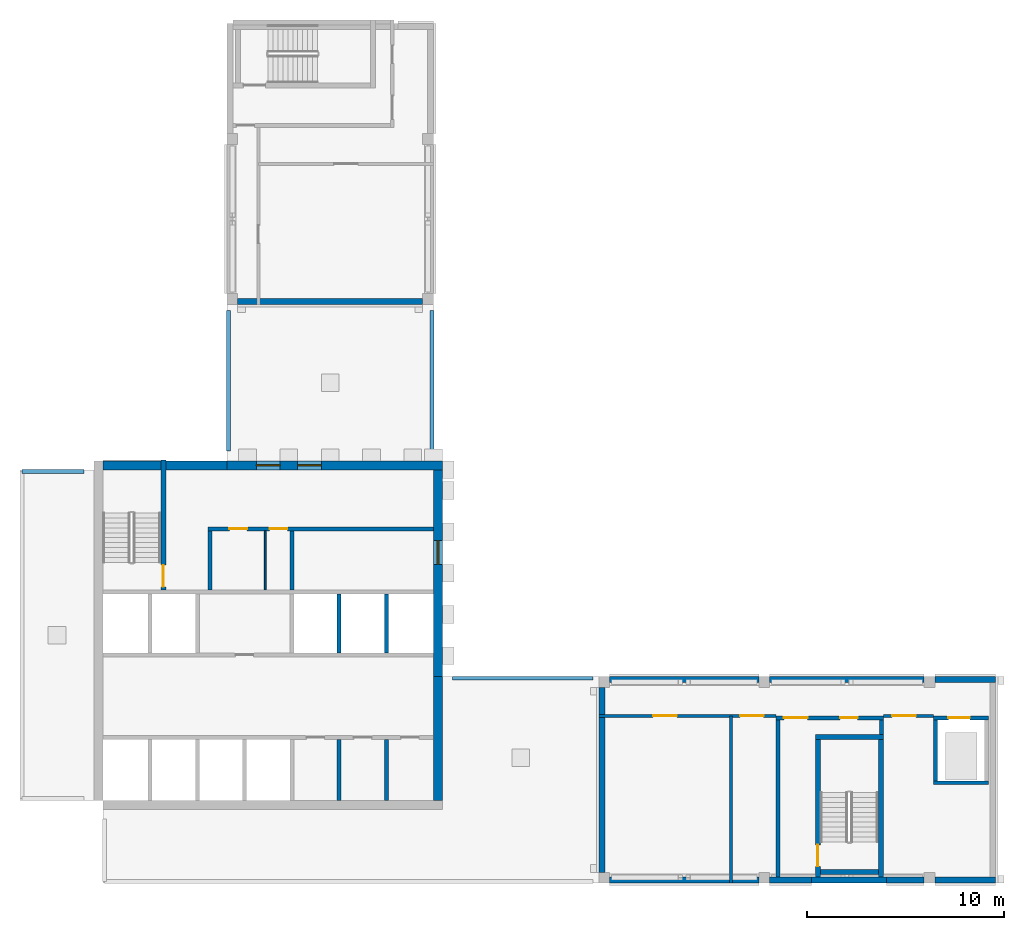
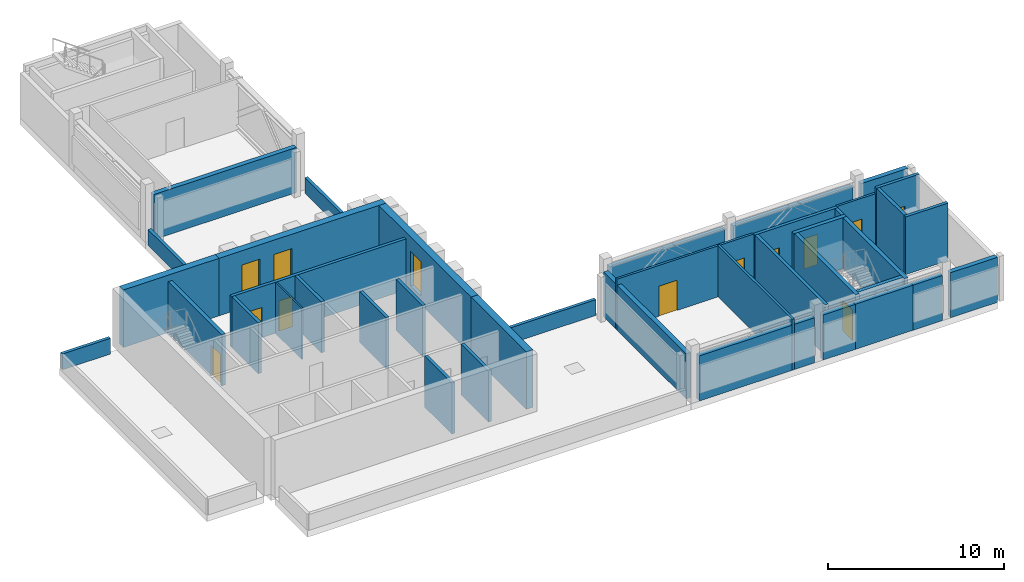
# One storey, part 2 of 8: 40 walls, 10 doors, 3 windows, 13 openings.
"""IFC4 building model written with IfcOpenShell, lengths in metres."""

from ifc_helpers import new_model, si_unit, direction, frame, frame_2d, origin, place, context, subcontext, project, spatial, rectangle, extrude, source, transform, mapped, material, layer, layer_set, type_object, element, fill, save


model = new_model("IFC4")

# Units and contexts
model_context = context("Model", 3, precision=1e-05, world=origin(), true_north=direction((0.0, 1.0)))
body_context = subcontext(model_context, "Body", "Model", "MODEL_VIEW")
ifc_project = project(units=[si_unit("LENGTHUNIT", "METRE"), si_unit("AREAUNIT", "SQUARE_METRE"), si_unit("VOLUMEUNIT", "CUBIC_METRE"), si_unit("PLANEANGLEUNIT", "RADIAN"), si_unit("MASSUNIT", "GRAM", prefix="KILO")], contexts=[model_context])

# Site, building, storey
site_placement = place(None, origin())
site = spatial("IfcSite", under=ifc_project, at=site_placement, CompositionType="ELEMENT")
building_placement = place(site_placement, origin())
building = spatial("IfcBuilding", under=site, at=building_placement, Name="Aurelian Terraces", CompositionType="ELEMENT")
storey_placement = place(building_placement, frame((0.0, 0.0, 368.5)))
storey = spatial("IfcBuildingStorey", under=building, at=storey_placement, Name="L88", CompositionType="ELEMENT", Elevation=368.5)

# Wall
ifc_material_1 = material(Name="Concrete fc' 55 MPa", Category="concrete")
ifc_layer_1 = layer(ifc_material_1, 0.45)
ifc_layer_set_1 = layer_set([ifc_layer_1], Name="CORE WALL 450 FC55")
wall_type_1 = type_object("IfcWallType", Name="CORE WALL 450 FC55", PredefinedType="SHEAR", material=ifc_layer_set_1)
wall_1_placement = place(storey_placement, frame((21.225, 4.2, 0.0), z_axis=(0.0, 0.0, 1.0), x_axis=(0.0, 1.0, 0.0)))
element("IfcWall", 1, at=wall_1_placement, inside=storey, type_object=wall_type_1, Name="Core wall E L88", PredefinedType="SHEAR", context=body_context, shape_type="SweptSolid", body=[
    extrude(rectangle(XDim=6.3, YDim=0.45, at=frame_2d((3.15, 0.0))), origin(), (0.0, 0.0, 1.0), 4.0),
])

# Wall, opening, window
wall_2_placement = place(storey_placement, frame((21.225, 10.5, 0.0), z_axis=(0.0, 0.0, 1.0), x_axis=(0.0, 1.0, 0.0)))
wall_2 = element("IfcWall", 2, at=wall_2_placement, inside=storey, type_object=wall_type_1, Name="Core wall E L88 exposed", PredefinedType="SHEAR", context=body_context, shape_type="SweptSolid", body=[
    extrude(rectangle(XDim=10.5, YDim=0.45, at=frame_2d((5.25, 0.0))), origin(), (0.0, 0.0, 1.0), 4.0),
])
opening_1_placement = place(wall_2_placement, frame((5.7, 0.0, 0.6)))
opening_1 = element("IfcOpeningElement", 3, at=opening_1_placement, cuts=wall_2, Name="Opening W-CL", PredefinedType="OPENING", context=body_context, shape_type="SweptSolid", body=[
    extrude(rectangle(XDim=1.2, YDim=2.4, at=frame_2d((0.6, 1.2))), frame((0.0, 0.235, 0.0), z_axis=(0.0, -1.0, 0.0), x_axis=(1.0, 0.0, 0.0)), (0.0, 0.0, 1.0), 0.47),
])
ifc_material_2 = material(Name="Fire-resisting glazing", Category="glass")
window_type = type_object("IfcWindowType", Name="Core lobby window 1200x2400", PartitioningType="SINGLE_PANEL", PredefinedType="WINDOW", material=ifc_material_2)
shared_shape_1 = source(origin(), body_context, "Body", "SweptSolid", [
    extrude(rectangle(XDim=1.2, YDim=2.4, at=frame_2d((0.6, 1.2))), frame((0.0, 0.03, 0.0), z_axis=(0.0, -1.0, 0.0), x_axis=(1.0, 0.0, 0.0)), (0.0, 0.0, 1.0), 0.06),
])
window_1_placement = place(opening_1_placement, origin())
window_1 = element("IfcWindow", 4, at=window_1_placement, inside=storey, type_object=window_type, Name="Lobby window L88 E73", OverallHeight=2.4, OverallWidth=1.2, PartitioningType="SINGLE_PANEL", PredefinedType="WINDOW", context=body_context, shape_type="MappedRepresentation", body=[
    mapped(shared_shape_1, transform((0.0, 0.0, 0.0), scale=1.0)),
])
fill(opening_1, window_1)

# Wall, openings, windows
wall_3_placement = place(storey_placement, frame((10.5, 21.225, 0.0), z_axis=(0.0, 0.0, 1.0), x_axis=(1.0, 0.0, 0.0)))
wall_3 = element("IfcWall", 5, at=wall_3_placement, inside=storey, type_object=wall_type_1, Name="Core wall N L88 exposed", PredefinedType="SHEAR", context=body_context, shape_type="SweptSolid", body=[
    extrude(rectangle(XDim=10.95, YDim=0.45, at=frame_2d((5.475, 0.0))), origin(), (0.0, 0.0, 1.0), 4.0),
])
shared_shape_2 = source(origin(), body_context, "Body", "SweptSolid", [
    extrude(rectangle(XDim=1.2, YDim=2.4, at=frame_2d((0.6, 1.2))), frame((0.0, 0.235, 0.0), z_axis=(0.0, -1.0, 0.0), x_axis=(1.0, 0.0, 0.0)), (0.0, 0.0, 1.0), 0.47),
])
opening_2_placement = place(wall_3_placement, frame((1.5, 0.0, 0.6)))
opening_2 = element("IfcOpeningElement", 6, at=opening_2_placement, cuts=wall_3, Name="Opening W-CL", PredefinedType="OPENING", context=body_context, shape_type="MappedRepresentation", body=[
    mapped(shared_shape_2, transform((0.0, 0.0, 0.0), scale=1.0)),
])
opening_3_placement = place(wall_3_placement, frame((3.6, 0.0, 0.6)))
opening_3 = element("IfcOpeningElement", 7, at=opening_3_placement, cuts=wall_3, Name="Opening W-CL", PredefinedType="OPENING", context=body_context, shape_type="MappedRepresentation", body=[
    mapped(shared_shape_2, transform((0.0, 0.0, 0.0), scale=1.0)),
])
window_2_placement = place(opening_2_placement, origin())
window_2 = element("IfcWindow", 8, at=window_2_placement, inside=storey, type_object=window_type, Name="Lobby window L88 N74", OverallHeight=2.4, OverallWidth=1.2, PartitioningType="SINGLE_PANEL", PredefinedType="WINDOW", context=body_context, shape_type="MappedRepresentation", body=[
    mapped(shared_shape_1, transform((0.0, 0.0, 0.0), scale=1.0)),
])
fill(opening_2, window_2)
window_3_placement = place(opening_3_placement, origin())
window_3 = element("IfcWindow", 9, at=window_3_placement, inside=storey, type_object=window_type, Name="Lobby window L88 N75", OverallHeight=2.4, OverallWidth=1.2, PartitioningType="SINGLE_PANEL", PredefinedType="WINDOW", context=body_context, shape_type="MappedRepresentation", body=[
    mapped(shared_shape_1, transform((0.0, 0.0, 0.0), scale=1.0)),
])
fill(opening_3, window_3)

# Walls
ifc_material_3 = material(Name="Gypsum board on steel studs", Category="steel")
ifc_layer_2 = layer(ifc_material_3, 0.1)
ifc_layer_set_2 = layer_set([ifc_layer_2], Name="Core partition 100")
wall_type_2 = type_object("IfcWallType", Name="Core partition 100", PredefinedType="PARTITIONING", material=ifc_layer_set_2)
wall_4_placement = place(storey_placement, frame((12.45, 14.9, 0.0), z_axis=(0.0, 0.0, 1.0), x_axis=(0.0, 1.0, 0.0)))
element("IfcWall", 10, at=wall_4_placement, inside=storey, type_object=wall_type_2, Name="L88 core wall CP-SV1", PredefinedType="PARTITIONING", context=body_context, shape_type="SweptSolid", body=[
    extrude(rectangle(XDim=3.0, YDim=0.1, at=frame_2d((1.5, 0.0))), origin(), (0.0, 0.0, 1.0), 3.55),
])
ifc_layer_3 = layer(ifc_material_3, 0.2)
ifc_layer_set_3 = layer_set([ifc_layer_3], Name="Core partition 200")
wall_type_3 = type_object("IfcWallType", Name="Core partition 200", PredefinedType="PARTITIONING", material=ifc_layer_set_3)
wall_5_placement = place(storey_placement, frame((16.2, 4.2, 0.0), z_axis=(0.0, 0.0, 1.0), x_axis=(0.0, 1.0, 0.0)))
element("IfcWall", 11, at=wall_5_placement, inside=storey, type_object=wall_type_3, Name="L88 core wall CS-A5", PredefinedType="PARTITIONING", context=body_context, shape_type="SweptSolid", body=[
    extrude(rectangle(XDim=3.1, YDim=0.2, at=frame_2d((1.55, 0.0))), origin(), (0.0, 0.0, 1.0), 3.55),
])
wall_6_placement = place(storey_placement, frame((9.65, 14.9, 0.0), z_axis=(0.0, 0.0, 1.0), x_axis=(0.0, 1.0, 0.0)))
element("IfcWall", 12, at=wall_6_placement, inside=storey, type_object=wall_type_3, Name="L88 core wall CP-VEST", PredefinedType="PARTITIONING", context=body_context, shape_type="SweptSolid", body=[
    extrude(rectangle(XDim=3.0, YDim=0.2, at=frame_2d((1.5, 0.0))), origin(), (0.0, 0.0, 1.0), 3.55),
])

# Wall, openings, doors
wall_7_placement = place(storey_placement, frame((9.55, 18.0, 0.0), z_axis=(0.0, 0.0, 1.0), x_axis=(1.0, 0.0, 0.0)))
wall_7 = element("IfcWall", 13, at=wall_7_placement, inside=storey, type_object=wall_type_3, Name="L88 core wall CP-NORTH", PredefinedType="PARTITIONING", context=body_context, shape_type="SweptSolid", body=[
    extrude(rectangle(XDim=11.45, YDim=0.2, at=frame_2d((5.725, 0.0))), origin(), (0.0, 0.0, 1.0), 3.55),
])
shared_shape_3 = source(origin(), body_context, "Body", "SweptSolid", [
    extrude(rectangle(XDim=0.9, YDim=2.1, at=frame_2d((0.45, 1.05))), frame((0.0, 0.11, 0.0), z_axis=(0.0, -1.0, 0.0), x_axis=(1.0, 0.0, 0.0)), (0.0, 0.0, 1.0), 0.22),
])
opening_4_placement = place(wall_7_placement, frame((1.075, 0.0, 0.0)))
opening_4 = element("IfcOpeningElement", 14, at=opening_4_placement, cuts=wall_7, Name="Opening 69105", PredefinedType="OPENING", context=body_context, shape_type="MappedRepresentation", body=[
    mapped(shared_shape_3, transform((0.0, 0.0, 0.0), scale=1.0)),
])
opening_5_placement = place(wall_7_placement, frame((3.125, 0.0, 0.0)))
opening_5 = element("IfcOpeningElement", 15, at=opening_5_placement, cuts=wall_7, Name="Opening 69106", PredefinedType="OPENING", context=body_context, shape_type="MappedRepresentation", body=[
    mapped(shared_shape_3, transform((0.0, 0.0, 0.0), scale=1.0)),
])
ifc_material_4 = material(Name="Steel door leaf", Category="steel")
door_type_1 = type_object("IfcDoorType", Name="Core service door 900x2100", OperationType="SINGLE_SWING_LEFT", PredefinedType="DOOR", material=ifc_material_4)
shared_shape_4 = source(origin(), body_context, "Body", "SweptSolid", [
    extrude(rectangle(XDim=0.9, YDim=2.1, at=frame_2d((0.45, 1.05))), frame((0.0, 0.025, 0.0), z_axis=(0.0, -1.0, 0.0), x_axis=(1.0, 0.0, 0.0)), (0.0, 0.0, 1.0), 0.05),
])
door_1_placement = place(opening_4_placement, origin())
door_1 = element("IfcDoor", 16, at=door_1_placement, inside=storey, type_object=door_type_1, Name="Room door 69105", OperationType="SINGLE_SWING_LEFT", OverallHeight=2.1, OverallWidth=0.9, PredefinedType="DOOR", context=body_context, shape_type="MappedRepresentation", body=[
    mapped(shared_shape_4, transform((0.0, 0.0, 0.0), scale=1.0)),
])
fill(opening_4, door_1)
door_type_2 = type_object("IfcDoorType", Name="Core riser door 900x2100 right", OperationType="SINGLE_SWING_RIGHT", PredefinedType="DOOR", material=ifc_material_4)
door_2_placement = place(opening_5_placement, origin())
door_2 = element("IfcDoor", 17, at=door_2_placement, inside=storey, type_object=door_type_2, Name="Room door 69106", OperationType="SINGLE_SWING_RIGHT", OverallHeight=2.1, OverallWidth=0.9, PredefinedType="DOOR", context=body_context, shape_type="MappedRepresentation", body=[
    mapped(shared_shape_4, transform((0.0, 0.0, 0.0), scale=1.0)),
])
fill(opening_5, door_2)

# Wall
wall_8_placement = place(storey_placement, frame((38.5, 0.3, 0.0), z_axis=(0.0, 0.0, 1.0), x_axis=(0.0, 1.0, 0.0)))
element("IfcWall", 18, at=wall_8_placement, inside=storey, type_object=wall_type_3, Name="L88 core wall ST-S2-VW", PredefinedType="PARTITIONING", context=body_context, shape_type="SweptSolid", body=[
    extrude(rectangle(XDim=8.0, YDim=0.2, at=frame_2d((4.0, 0.0))), origin(), (0.0, 0.0, 1.0), 3.55),
])

# Wall, openings, doors
wall_9_placement = place(storey_placement, frame((38.4, 8.4, 0.0), z_axis=(0.0, 0.0, 1.0), x_axis=(1.0, 0.0, 0.0)))
wall_9 = element("IfcWall", 19, at=wall_9_placement, inside=storey, type_object=wall_type_3, Name="L88 core wall ST-S2-BN", PredefinedType="PARTITIONING", context=body_context, shape_type="SweptSolid", body=[
    extrude(rectangle(XDim=5.45, YDim=0.2, at=frame_2d((2.725, 0.0))), origin(), (0.0, 0.0, 1.0), 3.55),
])
shared_shape_5 = source(origin(), body_context, "Body", "SweptSolid", [
    extrude(rectangle(XDim=1.2, YDim=2.1, at=frame_2d((0.6, 1.05))), frame((0.0, 0.11, 0.0), z_axis=(0.0, -1.0, 0.0), x_axis=(1.0, 0.0, 0.0)), (0.0, 0.0, 1.0), 0.22),
])
opening_6_placement = place(wall_9_placement, frame((0.4, 0.0, 0.0)))
opening_6 = element("IfcOpeningElement", 20, at=opening_6_placement, cuts=wall_9, Name="Opening 69109", PredefinedType="OPENING", context=body_context, shape_type="MappedRepresentation", body=[
    mapped(shared_shape_5, transform((0.0, 0.0, 0.0), scale=1.0)),
])
opening_7_placement = place(wall_9_placement, frame((3.25, 0.0, 0.0)))
opening_7 = element("IfcOpeningElement", 21, at=opening_7_placement, cuts=wall_9, Name="Opening 69110", PredefinedType="OPENING", context=body_context, shape_type="MappedRepresentation", body=[
    mapped(shared_shape_3, transform((0.0, 0.0, 0.0), scale=1.0)),
])
door_3_placement = place(opening_7_placement, origin())
door_3 = element("IfcDoor", 22, at=door_3_placement, inside=storey, type_object=door_type_2, Name="Riser door 69110", OperationType="SINGLE_SWING_RIGHT", OverallHeight=2.1, OverallWidth=0.9, PredefinedType="DOOR", context=body_context, shape_type="MappedRepresentation", body=[
    mapped(shared_shape_4, transform((0.0, 0.0, 0.0), scale=1.0)),
])
fill(opening_7, door_3)
door_type_3 = type_object("IfcDoorType", Name="Core fire door 1200x2100", OperationType="SINGLE_SWING_LEFT", PredefinedType="DOOR", material=ifc_material_4)
shared_shape_6 = source(origin(), body_context, "Body", "SweptSolid", [
    extrude(rectangle(XDim=1.2, YDim=2.1, at=frame_2d((0.6, 1.05))), frame((0.0, 0.025, 0.0), z_axis=(0.0, -1.0, 0.0), x_axis=(1.0, 0.0, 0.0)), (0.0, 0.0, 1.0), 0.05),
])
door_4_placement = place(opening_6_placement, origin())
door_4 = element("IfcDoor", 23, at=door_4_placement, inside=storey, type_object=door_type_3, Name="Vestibule door 69109", OperationType="SINGLE_SWING_LEFT", OverallHeight=2.1, OverallWidth=1.2, PredefinedType="DOOR", context=body_context, shape_type="MappedRepresentation", body=[
    mapped(shared_shape_6, transform((0.0, 0.0, 0.0), scale=1.0)),
])
fill(opening_6, door_4)

# Walls
wall_10_placement = place(storey_placement, frame((43.75, 7.55, 0.0), z_axis=(0.0, 0.0, 1.0), x_axis=(0.0, 1.0, 0.0)))
element("IfcWall", 24, at=wall_10_placement, inside=storey, type_object=wall_type_3, Name="L88 core wall ST-S2-RE", PredefinedType="PARTITIONING", context=body_context, shape_type="SweptSolid", body=[
    extrude(rectangle(XDim=0.75, YDim=0.2, at=frame_2d((0.375, 0.0))), origin(), (0.0, 0.0, 1.0), 3.55),
])
ifc_material_5 = material(Name="Terracotta rainscreen cladding", Category="masonry")
ifc_layer_4 = layer(ifc_material_5, 0.3)
ifc_layer_set_4 = layer_set([ifc_layer_4], Name="EW-300")
wall_type_4 = type_object("IfcWallType", Name="EW-300", PredefinedType="STANDARD", material=ifc_layer_set_4)
wall_11_placement = place(storey_placement, frame((29.95, 0.15, 0.0), z_axis=(0.0, 0.0, 1.0), x_axis=(1.0, 0.0, 0.0)))
element("IfcWall", 25, at=wall_11_placement, inside=storey, type_object=wall_type_4, Name="External wall L88 F05.1", PredefinedType="STANDARD", context=body_context, shape_type="SweptSolid", body=[
    extrude(rectangle(XDim=7.575, YDim=0.3, at=frame_2d((3.7875, 0.0))), origin(), (0.0, 0.0, 1.0), 3.1363),
])
wall_12_placement = place(storey_placement, frame((38.075, 0.15, 0.0), z_axis=(0.0, 0.0, 1.0), x_axis=(1.0, 0.0, 0.0)))
element("IfcWall", 26, at=wall_12_placement, inside=storey, type_object=wall_type_4, Name="External wall L88 F05.2", PredefinedType="STANDARD", context=body_context, shape_type="SweptSolid", body=[
    extrude(rectangle(XDim=2.125, YDim=0.3, at=frame_2d((1.0625, 0.0))), origin(), (0.0, 0.0, 1.0), 3.1363),
])
wall_13_placement = place(storey_placement, frame((44.0, 0.15, 0.0), z_axis=(0.0, 0.0, 1.0), x_axis=(1.0, 0.0, 0.0)))
element("IfcWall", 27, at=wall_13_placement, inside=storey, type_object=wall_type_4, Name="External wall L88 F05.4", PredefinedType="STANDARD", context=body_context, shape_type="SweptSolid", body=[
    extrude(rectangle(XDim=1.925, YDim=0.3, at=frame_2d((0.9625, 0.0))), origin(), (0.0, 0.0, 1.0), 3.1363),
])
wall_14_placement = place(storey_placement, frame((46.475, 0.15, 0.0), z_axis=(0.0, 0.0, 1.0), x_axis=(1.0, 0.0, 0.0)))
element("IfcWall", 28, at=wall_14_placement, inside=storey, type_object=wall_type_4, Name="External wall L88 F05.5", PredefinedType="STANDARD", context=body_context, shape_type="SweptSolid", body=[
    extrude(rectangle(XDim=3.085, YDim=0.3, at=frame_2d((1.5425, 0.0))), origin(), (0.0, 0.0, 1.0), 3.1363),
])
wall_15_placement = place(storey_placement, frame((45.925, 10.35, 0.0), z_axis=(0.0, 0.0, 1.0), x_axis=(-1.0, 0.0, 0.0)))
element("IfcWall", 29, at=wall_15_placement, inside=storey, type_object=wall_type_4, Name="External wall L88 F07.2", PredefinedType="STANDARD", context=body_context, shape_type="SweptSolid", body=[
    extrude(rectangle(XDim=7.85, YDim=0.3, at=frame_2d((3.925, 0.0))), origin(), (0.0, 0.0, 1.0), 3.1363),
])
wall_16_placement = place(storey_placement, frame((29.55, 9.95, 0.0), z_axis=(0.0, 0.0, 1.0), x_axis=(0.0, -1.0, 0.0)))
element("IfcWall", 30, at=wall_16_placement, inside=storey, type_object=wall_type_4, Name="External wall L88 F08.1", PredefinedType="STANDARD", context=body_context, shape_type="SweptSolid", body=[
    extrude(rectangle(XDim=9.4, YDim=0.3, at=frame_2d((4.7, 0.0))), origin(), (0.0, 0.0, 1.0), 3.1363),
])
ifc_material_6 = material(Name="Concrete fc' 40 MPa", Category="concrete")
ifc_layer_5 = layer(ifc_material_6, 0.2)
ifc_layer_set_5 = layer_set([ifc_layer_5], Name="Lift shaft wall 200")
wall_type_5 = type_object("IfcWallType", Name="Lift shaft wall 200", PredefinedType="SOLIDWALL", material=ifc_layer_set_5)
wall_17_placement = place(storey_placement, frame((46.4, 5.1, 0.0), z_axis=(0.0, 0.0, 1.0), x_axis=(1.0, 0.0, 0.0)))
element("IfcWall", 31, at=wall_17_placement, inside=storey, type_object=wall_type_5, Name="L88 core wall SV-F", PredefinedType="SOLIDWALL", context=body_context, shape_type="SweptSolid", body=[
    extrude(rectangle(XDim=2.8, YDim=0.2, at=frame_2d((1.4, 0.0))), origin(), (0.0, 0.0, 1.0), 4.0),
])
wall_18_placement = place(storey_placement, frame((46.5, 5.2, 0.0), z_axis=(0.0, 0.0, 1.0), x_axis=(0.0, 1.0, 0.0)))
element("IfcWall", 32, at=wall_18_placement, inside=storey, type_object=wall_type_5, Name="L88 core wall SV-W", PredefinedType="SOLIDWALL", context=body_context, shape_type="SweptSolid", body=[
    extrude(rectangle(XDim=3.1, YDim=0.2, at=frame_2d((1.55, 0.0))), origin(), (0.0, 0.0, 1.0), 4.0),
])
ifc_layer_6 = layer(ifc_material_5, 0.2)
ifc_layer_set_6 = layer_set([ifc_layer_6], Name="PARAPET-200")
wall_type_6 = type_object("IfcWallType", Name="PARAPET-200", PredefinedType="PARAPET", material=ifc_layer_set_6)
wall_19_placement = place(storey_placement, frame((21.95, 10.41, 0.0), z_axis=(0.0, 0.0, 1.0), x_axis=(1.0, 0.0, 0.0)))
element("IfcWall", 33, at=wall_19_placement, inside=storey, type_object=wall_type_6, Name="Parapet L88 L88-X1", PredefinedType="PARAPET", context=body_context, shape_type="SweptSolid", body=[
    extrude(rectangle(XDim=7.15, YDim=0.2, at=frame_2d((3.575, 0.0))), origin(), (0.0, 0.0, 1.0), 1.1),
])
ifc_layer_7 = layer(ifc_material_6, 0.3)
ifc_layer_set_7 = layer_set([ifc_layer_7], Name="STAIR BAY WALL 300")
wall_type_7 = type_object("IfcWallType", Name="STAIR BAY WALL 300", PredefinedType="SOLIDWALL", material=ifc_layer_set_7)
wall_20_placement = place(storey_placement, frame((40.2, 0.15, 0.0), z_axis=(0.0, 0.0, 1.0), x_axis=(1.0, 0.0, 0.0)))
element("IfcWall", 34, at=wall_20_placement, inside=storey, type_object=wall_type_7, Name="Stair bay wall L88 F05.3", PredefinedType="SOLIDWALL", context=body_context, shape_type="SweptSolid", body=[
    extrude(rectangle(XDim=3.8, YDim=0.3, at=frame_2d((1.9, 0.0))), origin(), (0.0, 0.0, 1.0), 3.1363),
])

# Wall, openings, doors
ifc_layer_8 = layer(ifc_material_3, 0.15)
ifc_layer_set_8 = layer_set([ifc_layer_8], Name="Special partition 150")
wall_type_8 = type_object("IfcWallType", Name="Special partition 150", PredefinedType="PARTITIONING", material=ifc_layer_set_8)
wall_21_placement = place(storey_placement, frame((29.4, 8.5, 0.0), z_axis=(0.0, 0.0, 1.0), x_axis=(1.0, 0.0, 0.0)))
wall_21 = element("IfcWall", 35, at=wall_21_placement, inside=storey, type_object=wall_type_8, Name="L88 partition W01", PredefinedType="PARTITIONING", context=body_context, shape_type="SweptSolid", body=[
    extrude(rectangle(XDim=9.0, YDim=0.15, at=frame_2d((4.5, 0.0))), origin(), (0.0, 0.0, 1.0), 3.55),
])
shared_shape_7 = source(origin(), body_context, "Body", "SweptSolid", [
    extrude(rectangle(XDim=1.2, YDim=2.1, at=frame_2d((0.6, 1.05))), frame((0.0, 0.085, 0.0), z_axis=(0.0, -1.0, 0.0), x_axis=(1.0, 0.0, 0.0)), (0.0, 0.0, 1.0), 0.17),
])
opening_8_placement = place(wall_21_placement, frame((2.76, 0.0, 0.0)))
opening_8 = element("IfcOpeningElement", 36, at=opening_8_placement, cuts=wall_21, Name="Opening 79101", PredefinedType="OPENING", context=body_context, shape_type="MappedRepresentation", body=[
    mapped(shared_shape_7, transform((0.0, 0.0, 0.0), scale=1.0)),
])
opening_9_placement = place(wall_21_placement, frame((7.17, 0.0, 0.0)))
opening_9 = element("IfcOpeningElement", 37, at=opening_9_placement, cuts=wall_21, Name="Opening 79102", PredefinedType="OPENING", context=body_context, shape_type="MappedRepresentation", body=[
    mapped(shared_shape_7, transform((0.0, 0.0, 0.0), scale=1.0)),
])
door_type_4 = type_object("IfcDoorType", Name="Special door 1200x2100", OperationType="SINGLE_SWING_LEFT", PredefinedType="DOOR", material=ifc_material_4)
door_5_placement = place(opening_8_placement, origin())
door_5 = element("IfcDoor", 38, at=door_5_placement, inside=storey, type_object=door_type_4, Name="Door 79101", OperationType="SINGLE_SWING_LEFT", OverallHeight=2.1, OverallWidth=1.2, PredefinedType="DOOR", context=body_context, shape_type="MappedRepresentation", body=[
    mapped(shared_shape_6, transform((0.0, 0.0, 0.0), scale=1.0)),
])
fill(opening_8, door_5)
door_type_5 = type_object("IfcDoorType", Name="Special door 1200x2100 right", OperationType="SINGLE_SWING_RIGHT", PredefinedType="DOOR", material=ifc_material_4)
door_6_placement = place(opening_9_placement, origin())
door_6 = element("IfcDoor", 39, at=door_6_placement, inside=storey, type_object=door_type_5, Name="Door 79102", OperationType="SINGLE_SWING_RIGHT", OverallHeight=2.1, OverallWidth=1.2, PredefinedType="DOOR", context=body_context, shape_type="MappedRepresentation", body=[
    mapped(shared_shape_6, transform((0.0, 0.0, 0.0), scale=1.0)),
])
fill(opening_9, door_6)

# Wall, opening, door
wall_22_placement = place(storey_placement, frame((43.85, 8.5, 0.0), z_axis=(0.0, 0.0, 1.0), x_axis=(1.0, 0.0, 0.0)))
wall_22 = element("IfcWall", 40, at=wall_22_placement, inside=storey, type_object=wall_type_8, Name="L88 partition W02", PredefinedType="PARTITIONING", context=body_context, shape_type="SweptSolid", body=[
    extrude(rectangle(XDim=2.55, YDim=0.15, at=frame_2d((1.275, 0.0))), origin(), (0.0, 0.0, 1.0), 3.55),
])
opening_10_placement = place(wall_22_placement, frame((0.45, 0.0, 0.0)))
opening_10 = element("IfcOpeningElement", 41, at=opening_10_placement, cuts=wall_22, Name="Opening 79103", PredefinedType="OPENING", context=body_context, shape_type="MappedRepresentation", body=[
    mapped(shared_shape_7, transform((0.0, 0.0, 0.0), scale=1.0)),
])
door_7_placement = place(opening_10_placement, origin())
door_7 = element("IfcDoor", 42, at=door_7_placement, inside=storey, type_object=door_type_4, Name="Door 79103", OperationType="SINGLE_SWING_LEFT", OverallHeight=2.1, OverallWidth=1.2, PredefinedType="DOOR", context=body_context, shape_type="MappedRepresentation", body=[
    mapped(shared_shape_6, transform((0.0, 0.0, 0.0), scale=1.0)),
])
fill(opening_10, door_7)

# Wall
wall_23_placement = place(storey_placement, frame((36.12, 0.0, 0.0), z_axis=(0.0, 0.0, 1.0), x_axis=(0.0, 1.0, 0.0)))
element("IfcWall", 43, at=wall_23_placement, inside=storey, type_object=wall_type_8, Name="L88 partition W05", PredefinedType="PARTITIONING", context=body_context, shape_type="SweptSolid", body=[
    extrude(rectangle(XDim=8.5, YDim=0.15, at=frame_2d((4.25, 0.0))), origin(), (0.0, 0.0, 1.0), 3.55),
])

# Wall, opening, door
ifc_layer_9 = layer(ifc_material_6, 0.25)
ifc_layer_set_9 = layer_set([ifc_layer_9], Name="Stair enclosure wall 250")
wall_type_9 = type_object("IfcWallType", Name="Stair enclosure wall 250", PredefinedType="SOLIDWALL", material=ifc_layer_set_9)
wall_24_placement = place(storey_placement, frame((7.275, 14.9, 0.0), z_axis=(0.0, 0.0, 1.0), x_axis=(0.0, 1.0, 0.0)))
wall_24 = element("IfcWall", 44, at=wall_24_placement, inside=storey, type_object=wall_type_9, Name="L88 core wall ST-S1-E", PredefinedType="SOLIDWALL", context=body_context, shape_type="SweptSolid", body=[
    extrude(rectangle(XDim=6.6, YDim=0.25, at=frame_2d((3.3, 0.0))), origin(), (0.0, 0.0, 1.0), 3.55),
])
shared_shape_8 = source(origin(), body_context, "Body", "SweptSolid", [
    extrude(rectangle(XDim=1.1, YDim=2.1, at=frame_2d((0.55, 1.05))), frame((0.0, 0.135, 0.0), z_axis=(0.0, -1.0, 0.0), x_axis=(1.0, 0.0, 0.0)), (0.0, 0.0, 1.0), 0.27),
])
opening_11_placement = place(wall_24_placement, frame((0.15, 0.0, 0.0)))
opening_11 = element("IfcOpeningElement", 45, at=opening_11_placement, cuts=wall_24, Name="Opening 69104", PredefinedType="OPENING", context=body_context, shape_type="MappedRepresentation", body=[
    mapped(shared_shape_8, transform((0.0, 0.0, 0.0), scale=1.0)),
])
door_type_6 = type_object("IfcDoorType", Name="Core fire door 1100x2100 right", OperationType="SINGLE_SWING_RIGHT", PredefinedType="DOOR", material=ifc_material_4)
shared_shape_9 = source(origin(), body_context, "Body", "SweptSolid", [
    extrude(rectangle(XDim=1.1, YDim=2.1, at=frame_2d((0.55, 1.05))), frame((0.0, 0.025, 0.0), z_axis=(0.0, -1.0, 0.0), x_axis=(1.0, 0.0, 0.0)), (0.0, 0.0, 1.0), 0.05),
])
door_8_placement = place(opening_11_placement, origin())
door_8 = element("IfcDoor", 46, at=door_8_placement, inside=storey, type_object=door_type_6, Name="Stair door 69104", OperationType="SINGLE_SWING_RIGHT", OverallHeight=2.1, OverallWidth=1.1, PredefinedType="DOOR", context=body_context, shape_type="MappedRepresentation", body=[
    mapped(shared_shape_9, transform((0.0, 0.0, 0.0), scale=1.0)),
])
fill(opening_11, door_8)

wall_25_placement = place(storey_placement, frame((40.525, 0.3, 0.0), z_axis=(0.0, 0.0, 1.0), x_axis=(0.0, 1.0, 0.0)))
wall_25 = element("IfcWall", 47, at=wall_25_placement, inside=storey, type_object=wall_type_9, Name="L88 core wall ST-S2-W", PredefinedType="SOLIDWALL", context=body_context, shape_type="SweptSolid", body=[
    extrude(rectangle(XDim=7.0, YDim=0.25, at=frame_2d((3.5, 0.0))), origin(), (0.0, 0.0, 1.0), 3.55),
])
opening_12_placement = place(wall_25_placement, frame((0.55, 0.0, 0.0)))
opening_12 = element("IfcOpeningElement", 48, at=opening_12_placement, cuts=wall_25, Name="Opening 69108", PredefinedType="OPENING", context=body_context, shape_type="MappedRepresentation", body=[
    mapped(shared_shape_8, transform((0.0, 0.0, 0.0), scale=1.0)),
])
door_9_placement = place(opening_12_placement, origin())
door_9 = element("IfcDoor", 49, at=door_9_placement, inside=storey, type_object=door_type_6, Name="Stair door 69108", OperationType="SINGLE_SWING_RIGHT", OverallHeight=2.1, OverallWidth=1.1, PredefinedType="DOOR", context=body_context, shape_type="MappedRepresentation", body=[
    mapped(shared_shape_9, transform((0.0, 0.0, 0.0), scale=1.0)),
])
fill(opening_12, door_9)

# Walls
wall_26_placement = place(storey_placement, frame((40.4, 7.425, 0.0), z_axis=(0.0, 0.0, 1.0), x_axis=(1.0, 0.0, 0.0)))
element("IfcWall", 50, at=wall_26_placement, inside=storey, type_object=wall_type_9, Name="L88 core wall ST-S2-N", PredefinedType="SOLIDWALL", context=body_context, shape_type="SweptSolid", body=[
    extrude(rectangle(XDim=3.45, YDim=0.25, at=frame_2d((1.725, 0.0))), origin(), (0.0, 0.0, 1.0), 3.55),
])
wall_27_placement = place(storey_placement, frame((40.65, 0.575, 0.0), z_axis=(0.0, 0.0, 1.0), x_axis=(1.0, 0.0, 0.0)))
element("IfcWall", 51, at=wall_27_placement, inside=storey, type_object=wall_type_9, Name="L88 core wall ST-S2-SS", PredefinedType="SOLIDWALL", context=body_context, shape_type="SweptSolid", body=[
    extrude(rectangle(XDim=2.95, YDim=0.25, at=frame_2d((1.475, 0.0))), origin(), (0.0, 0.0, 1.0), 3.55),
])
shared_shape_10 = source(origin(), body_context, "Body", "SweptSolid", [
    extrude(rectangle(XDim=6.3, YDim=0.45, at=frame_2d((3.15, 0.0))), origin(), (0.0, 0.0, 1.0), 4.0),
])
wall_28_placement = place(storey_placement, frame((4.2, 21.225, 0.0), z_axis=(0.0, 0.0, 1.0), x_axis=(1.0, 0.0, 0.0)))
element("IfcWall", 52, at=wall_28_placement, inside=storey, type_object=wall_type_1, Name="Core wall N L88", PredefinedType="SHEAR", context=body_context, shape_type="MappedRepresentation", body=[
    mapped(shared_shape_10, transform((0.0, 0.0, 0.0), scale=1.0)),
])
shared_shape_11 = source(origin(), body_context, "Body", "SweptSolid", [
    extrude(rectangle(XDim=3.085, YDim=0.3, at=frame_2d((1.5425, 0.0))), origin(), (0.0, 0.0, 1.0), 3.1363),
])
wall_29_placement = place(storey_placement, frame((49.56, 10.35, 0.0), z_axis=(0.0, 0.0, 1.0), x_axis=(-1.0, 0.0, 0.0)))
element("IfcWall", 53, at=wall_29_placement, inside=storey, type_object=wall_type_4, Name="External wall L88 F07.1", PredefinedType="STANDARD", context=body_context, shape_type="MappedRepresentation", body=[
    mapped(shared_shape_11, transform((0.0, 0.0, 0.0), scale=1.0)),
])
shared_shape_12 = source(origin(), body_context, "Body", "SweptSolid", [
    extrude(rectangle(XDim=7.575, YDim=0.3, at=frame_2d((3.7875, 0.0))), origin(), (0.0, 0.0, 1.0), 3.1363),
])
wall_30_placement = place(storey_placement, frame((37.525, 10.35, 0.0), z_axis=(0.0, 0.0, 1.0), x_axis=(-1.0, 0.0, 0.0)))
element("IfcWall", 54, at=wall_30_placement, inside=storey, type_object=wall_type_4, Name="External wall L88 F07.3", PredefinedType="STANDARD", context=body_context, shape_type="MappedRepresentation", body=[
    mapped(shared_shape_12, transform((0.0, 0.0, 0.0), scale=1.0)),
])
shared_shape_13 = source(origin(), body_context, "Body", "SweptSolid", [
    extrude(rectangle(XDim=9.4, YDim=0.3, at=frame_2d((4.7, 0.0))), origin(), (0.0, 0.0, 1.0), 3.1363),
])
wall_31_placement = place(storey_placement, frame((11.05, 29.55, 0.0), z_axis=(0.0, 0.0, 1.0), x_axis=(1.0, 0.0, 0.0)))
element("IfcWall", 55, at=wall_31_placement, inside=storey, type_object=wall_type_4, Name="External wall L88 F09.1", PredefinedType="STANDARD", context=body_context, shape_type="MappedRepresentation", body=[
    mapped(shared_shape_13, transform((0.0, 0.0, 0.0), scale=1.0)),
])
shared_shape_14 = source(origin(), body_context, "Body", "SweptSolid", [
    extrude(rectangle(XDim=7.15, YDim=0.2, at=frame_2d((3.575, 0.0))), origin(), (0.0, 0.0, 1.0), 1.1),
])
for number, where, z_axis, x_axis, name in (
    (56, (10.59, 21.95, 0.0), (0.0, 0.0, 1.0), (0.0, 1.0, 0.0), "Parapet L88 L88-X2"),
    (57, (20.91, 29.1, 0.0), (0.0, 0.0, 1.0), (0.0, -1.0, 0.0), "Parapet L88 L88-X2"),
):
    element("IfcWall", number, at=place(storey_placement, frame(where, z_axis=z_axis, x_axis=x_axis)), inside=storey, type_object=wall_type_6, Name=name, PredefinedType="PARAPET", context=body_context, shape_type="MappedRepresentation", body=[
        mapped(shared_shape_14, transform((0.0, 0.0, 0.0), scale=1.0)),
    ])
shared_shape_15 = source(origin(), body_context, "Body", "SweptSolid", [
    extrude(rectangle(XDim=3.16, YDim=0.2, at=frame_2d((1.58, 0.0))), origin(), (0.0, 0.0, 1.0), 1.1),
])
wall_32_placement = place(storey_placement, frame((0.09, 20.91, 0.0), z_axis=(0.0, 0.0, 1.0), x_axis=(1.0, 0.0, 0.0)))
element("IfcWall", 58, at=wall_32_placement, inside=storey, type_object=wall_type_6, Name="Parapet L88 L88-X3", PredefinedType="PARAPET", context=body_context, shape_type="MappedRepresentation", body=[
    mapped(shared_shape_15, transform((0.0, 0.0, 0.0), scale=1.0)),
])
shared_shape_16 = source(origin(), body_context, "Body", "SweptSolid", [
    extrude(rectangle(XDim=3.1, YDim=0.2, at=frame_2d((1.55, 0.0))), origin(), (0.0, 0.0, 1.0), 3.55),
])
wall_33_placement = place(storey_placement, frame((18.6, 4.2, 0.0), z_axis=(0.0, 0.0, 1.0), x_axis=(0.0, 1.0, 0.0)))
element("IfcWall", 59, at=wall_33_placement, inside=storey, type_object=wall_type_3, Name="L88 core wall CS-A6", PredefinedType="PARTITIONING", context=body_context, shape_type="MappedRepresentation", body=[
    mapped(shared_shape_16, transform((0.0, 0.0, 0.0), scale=1.0)),
])
shared_shape_17 = source(origin(), body_context, "Body", "SweptSolid", [
    extrude(rectangle(XDim=3.0, YDim=0.2, at=frame_2d((1.5, 0.0))), origin(), (0.0, 0.0, 1.0), 3.55),
])
for number, where, z_axis, x_axis, name in (
    (60, (16.2, 11.7, 0.0), (0.0, 0.0, 1.0), (0.0, 1.0, 0.0), "L88 core wall CD-B5"),
    (61, (18.6, 11.7, 0.0), (0.0, 0.0, 1.0), (0.0, 1.0, 0.0), "L88 core wall CD-B6"),
):
    element("IfcWall", number, at=place(storey_placement, frame(where, z_axis=z_axis, x_axis=x_axis)), inside=storey, type_object=wall_type_5, Name=name, PredefinedType="SOLIDWALL", context=body_context, shape_type="MappedRepresentation", body=[
        mapped(shared_shape_17, transform((0.0, 0.0, 0.0), scale=1.0)),
    ])
shared_shape_18 = source(origin(), body_context, "Body", "SweptSolid", [
    extrude(rectangle(XDim=3.0, YDim=0.2, at=frame_2d((1.5, 0.0))), origin(), (0.0, 0.0, 1.0), 3.55),
])
wall_34_placement = place(storey_placement, frame((13.8, 14.9, 0.0), z_axis=(0.0, 0.0, 1.0), x_axis=(0.0, 1.0, 0.0)))
element("IfcWall", 62, at=wall_34_placement, inside=storey, type_object=wall_type_3, Name="L88 core wall CP-FFL", PredefinedType="PARTITIONING", context=body_context, shape_type="MappedRepresentation", body=[
    mapped(shared_shape_18, transform((0.0, 0.0, 0.0), scale=1.0)),
])

# Wall, opening, door
shared_shape_19 = source(origin(), body_context, "Body", "SweptSolid", [
    extrude(rectangle(XDim=2.8, YDim=0.2, at=frame_2d((1.4, 0.0))), origin(), (0.0, 0.0, 1.0), 4.0),
])
wall_35_placement = place(storey_placement, frame((46.4, 8.4, 0.0), z_axis=(0.0, 0.0, 1.0), x_axis=(1.0, 0.0, 0.0)))
wall_35 = element("IfcWall", 63, at=wall_35_placement, inside=storey, type_object=wall_type_5, Name="L88 core wall SV-N", PredefinedType="SOLIDWALL", context=body_context, shape_type="MappedRepresentation", body=[
    mapped(shared_shape_19, transform((0.0, 0.0, 0.0), scale=1.0)),
])
shared_shape_20 = source(origin(), body_context, "Body", "SweptSolid", [
    extrude(rectangle(XDim=1.1, YDim=2.1, at=frame_2d((0.55, 1.05))), frame((0.0, 0.11, 0.0), z_axis=(0.0, -1.0, 0.0), x_axis=(1.0, 0.0, 0.0)), (0.0, 0.0, 1.0), 0.22),
])
opening_13_placement = place(wall_35_placement, frame((0.75, 0.0, 0.0)))
opening_13 = element("IfcOpeningElement", 64, at=opening_13_placement, cuts=wall_35, Name="Opening 69107", PredefinedType="OPENING", context=body_context, shape_type="MappedRepresentation", body=[
    mapped(shared_shape_20, transform((0.0, 0.0, 0.0), scale=1.0)),
])
ifc_material_7 = material(Name="Stainless steel", Category="steel")
door_type_7 = type_object("IfcDoorType", Name="Lift landing door 1100x2100", OperationType="SLIDING_TO_LEFT", PredefinedType="DOOR", material=ifc_material_7)
door_10_placement = place(opening_13_placement, origin())
door_10 = element("IfcDoor", 65, at=door_10_placement, inside=storey, type_object=door_type_7, Name="Lift landing door SV1 L88", OperationType="SLIDING_TO_LEFT", OverallHeight=2.1, OverallWidth=1.1, PredefinedType="DOOR", context=body_context, shape_type="MappedRepresentation", body=[
    mapped(shared_shape_9, transform((0.0, 0.0, 0.0), scale=1.0)),
])
fill(opening_13, door_10)

# Wall
shared_shape_21 = source(origin(), body_context, "Body", "SweptSolid", [
    extrude(rectangle(XDim=7.0, YDim=0.25, at=frame_2d((3.5, 0.0))), origin(), (0.0, 0.0, 1.0), 3.55),
])
wall_36_placement = place(storey_placement, frame((43.725, 0.3, 0.0), z_axis=(0.0, 0.0, 1.0), x_axis=(0.0, 1.0, 0.0)))
element("IfcWall", 66, at=wall_36_placement, inside=storey, type_object=wall_type_9, Name="L88 core wall ST-S2-E", PredefinedType="SOLIDWALL", context=body_context, shape_type="MappedRepresentation", body=[
    mapped(shared_shape_21, transform((0.0, 0.0, 0.0), scale=1.0)),
])

save(model, "model.ifc")
